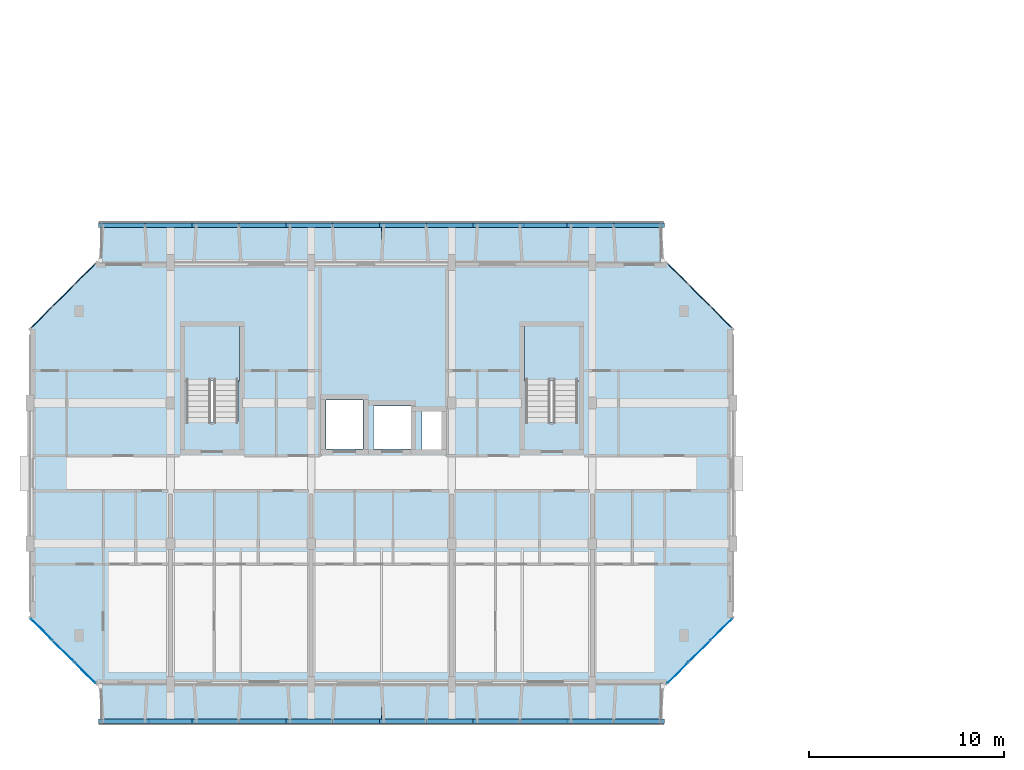
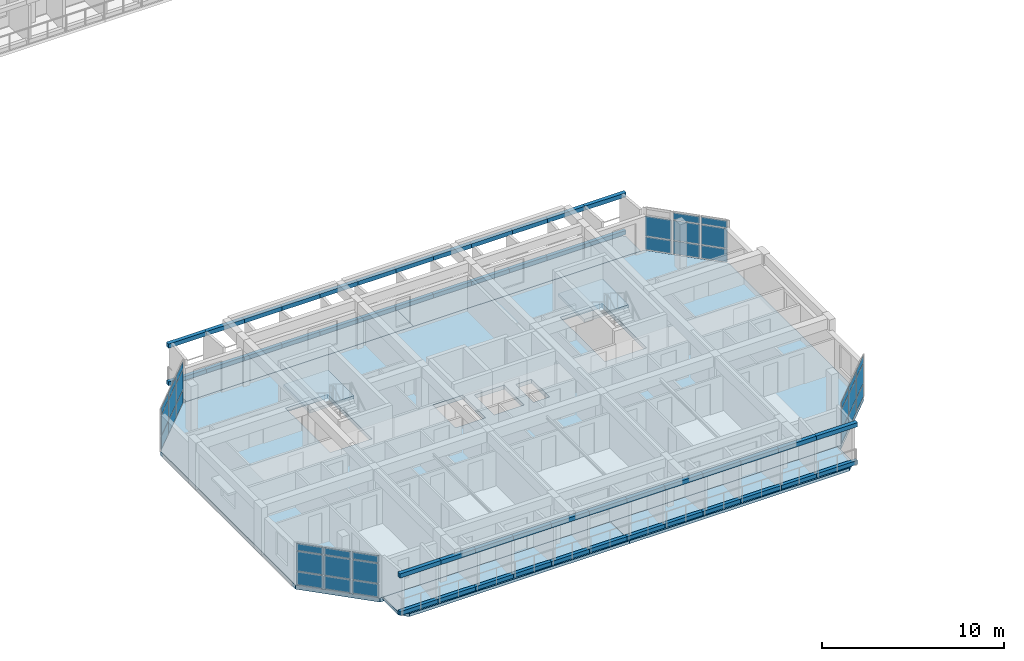
# One storey, part 11 of 46: 83 plates, 7 slabs, 6 elements without a shape of their own.
"""IFC4 building model written with IfcOpenShell, lengths in metres."""

from ifc_helpers import new_model, si_unit, direction, frame, origin, origin_2d, place, context, subcontext, project, spatial, polyline, rectangle, outline, extrude, material, layer, layer_set, type_object, element, aggregate, save


model = new_model("IFC4")

# Units and contexts
model_context = context("Model", 3, precision=1e-05, world=origin(), true_north=direction((0.0, 1.0)))
body_context = subcontext(model_context, "Body", "Model", "MODEL_VIEW")
ifc_project = project(units=[si_unit("LENGTHUNIT", "METRE"), si_unit("AREAUNIT", "SQUARE_METRE"), si_unit("VOLUMEUNIT", "CUBIC_METRE"), si_unit("PLANEANGLEUNIT", "RADIAN"), si_unit("MASSUNIT", "GRAM", prefix="KILO")], contexts=[model_context])

# Site, building, storey
site_placement = place(None, origin())
site = spatial("IfcSite", under=ifc_project, at=site_placement, CompositionType="ELEMENT")
building_placement = place(site_placement, origin())
building = spatial("IfcBuilding", under=site, at=building_placement, Name="Ochrevale Crest", CompositionType="ELEMENT")
storey_placement = place(building_placement, frame((0.0, 0.0, 24.449951171875)))
storey = spatial("IfcBuildingStorey", under=building, at=storey_placement, Name="L07", CompositionType="ELEMENT", Elevation=24.449951171875)

# Curtain wall, plates
ifc_material_1 = material(Name="Anodised aluminium 6063-T5", Category="aluminium")
ifc_layer_1 = layer(ifc_material_1, 0.14990234375)
ifc_layer_set_1 = layer_set([ifc_layer_1], Name="Anodised aluminium 6063-T5")
curtain_wall_type_1 = type_object("IfcCurtainWallType", Name="CW-WG-420x285", PredefinedType="NOTDEFINED", material=ifc_layer_set_1)
curtain_wall_1_placement = place(storey_placement, origin())
curtain_wall_1 = element("IfcCurtainWall", 1, at=curtain_wall_1_placement, inside=storey, type_object=curtain_wall_type_1, Name="Block A L07 chamfered corner wintergarden curtain wall 2", PredefinedType="NOTDEFINED")
ifc_material_2 = material(Name="Double-glazed low-E insulated glass unit", Category="glass")
ifc_layer_2 = layer(ifc_material_2, 0.028076171875)
ifc_layer_set_2 = layer_set([ifc_layer_2], Name="Double-glazed low-E insulated glass unit")
plate_type_1 = type_object("IfcPlateType", Name="CW-PNL-IGU28", PredefinedType="CURTAIN_PANEL", material=ifc_layer_set_2)
plate_1_placement = place(storey_placement, frame((33.179931640625, 14.97998046875, 0.06005859375), z_axis=(0.0, 0.0, 1.0), x_axis=(0.707106781187, 0.707106781187, 0.0)))
plate_1 = element("IfcPlate", 2, at=plate_1_placement, type_object=plate_type_1, Name="CW22 panel 1.1", PredefinedType="CURTAIN_PANEL", context=body_context, shape_type="SweptSolid", body=[
    extrude(rectangle(XDim=1.490234375, YDim=0.028076171875, at=origin_2d()), origin(), (0.0, 0.0, 1.0), 0.860107421875),
])
plate_2_placement = place(storey_placement, frame((33.179931640625, 14.97998046875, 0.97998046875), z_axis=(0.0, 0.0, 1.0), x_axis=(0.707106781187, 0.707106781187, 0.0)))
plate_2 = element("IfcPlate", 3, at=plate_2_placement, type_object=plate_type_1, Name="CW22 panel 1.2", PredefinedType="CURTAIN_PANEL", context=body_context, shape_type="SweptSolid", body=[
    extrude(rectangle(XDim=1.490234375, YDim=0.028076171875, at=origin_2d()), origin(), (0.0, 0.0, 1.0), 1.31494140625),
])
plate_3_placement = place(storey_placement, frame((33.179931640625, 14.97998046875, 2.35498046875), z_axis=(0.0, 0.0, 1.0), x_axis=(0.707106781187, 0.707106781187, 0.0)))
plate_3 = element("IfcPlate", 4, at=plate_3_placement, type_object=plate_type_1, Name="CW22 panel 1.3", PredefinedType="CURTAIN_PANEL", context=body_context, shape_type="SweptSolid", body=[
    extrude(rectangle(XDim=1.490234375, YDim=0.028076171875, at=origin_2d()), origin(), (0.0, 0.0, 1.0), 0.4599609375),
])
plate_4_placement = place(storey_placement, frame((34.300048828125, 16.10009765625, 0.06005859375), z_axis=(0.0, 0.0, 1.0), x_axis=(0.707106781187, 0.707106781187, 0.0)))
plate_4 = element("IfcPlate", 5, at=plate_4_placement, type_object=plate_type_1, Name="CW22 panel 2.1", PredefinedType="CURTAIN_PANEL", context=body_context, shape_type="SweptSolid", body=[
    extrude(rectangle(XDim=1.52783203125, YDim=0.028076171875, at=origin_2d()), origin(), (0.0, 0.0, 1.0), 0.860107421875),
])
plate_5_placement = place(storey_placement, frame((34.300048828125, 16.10009765625, 0.97998046875), z_axis=(0.0, 0.0, 1.0), x_axis=(0.707106781187, 0.707106781187, 0.0)))
plate_5 = element("IfcPlate", 6, at=plate_5_placement, type_object=plate_type_1, Name="CW22 panel 2.2", PredefinedType="CURTAIN_PANEL", context=body_context, shape_type="SweptSolid", body=[
    extrude(rectangle(XDim=1.52783203125, YDim=0.028076171875, at=origin_2d()), origin(), (0.0, 0.0, 1.0), 1.31494140625),
])
plate_6_placement = place(storey_placement, frame((34.300048828125, 16.10009765625, 2.35498046875), z_axis=(0.0, 0.0, 1.0), x_axis=(0.707106781187, 0.707106781187, 0.0)))
plate_6 = element("IfcPlate", 7, at=plate_6_placement, type_object=plate_type_1, Name="CW22 panel 2.3", PredefinedType="CURTAIN_PANEL", context=body_context, shape_type="SweptSolid", body=[
    extrude(rectangle(XDim=1.52783203125, YDim=0.028076171875, at=origin_2d()), origin(), (0.0, 0.0, 1.0), 0.4599609375),
])
plate_7_placement = place(storey_placement, frame((35.420166015625, 17.219970703125, 0.06005859375), z_axis=(0.0, 0.0, 1.0), x_axis=(0.707106781187, 0.707106781187, 0.0)))
plate_7 = element("IfcPlate", 8, at=plate_7_placement, type_object=plate_type_1, Name="CW22 panel 3.1", PredefinedType="CURTAIN_PANEL", context=body_context, shape_type="SweptSolid", body=[
    extrude(rectangle(XDim=1.490234375, YDim=0.028076171875, at=origin_2d()), origin(), (0.0, 0.0, 1.0), 0.860107421875),
])
plate_8_placement = place(storey_placement, frame((35.420166015625, 17.219970703125, 0.97998046875), z_axis=(0.0, 0.0, 1.0), x_axis=(0.707106781187, 0.707106781187, 0.0)))
plate_8 = element("IfcPlate", 9, at=plate_8_placement, type_object=plate_type_1, Name="CW22 panel 3.2", PredefinedType="CURTAIN_PANEL", context=body_context, shape_type="SweptSolid", body=[
    extrude(rectangle(XDim=1.490234375, YDim=0.028076171875, at=origin_2d()), origin(), (0.0, 0.0, 1.0), 1.31494140625),
])
plate_9_placement = place(storey_placement, frame((35.420166015625, 17.219970703125, 2.35498046875), z_axis=(0.0, 0.0, 1.0), x_axis=(0.707106781187, 0.707106781187, 0.0)))
plate_9 = element("IfcPlate", 10, at=plate_9_placement, type_object=plate_type_1, Name="CW22 panel 3.3", PredefinedType="CURTAIN_PANEL", context=body_context, shape_type="SweptSolid", body=[
    extrude(rectangle(XDim=1.490234375, YDim=0.028076171875, at=origin_2d()), origin(), (0.0, 0.0, 1.0), 0.4599609375),
])
aggregate(curtain_wall_1, [plate_1, plate_2, plate_3, plate_4, plate_5, plate_6, plate_7, plate_8, plate_9])

ifc_layer_3 = layer(ifc_material_1, 0.14990234375)
ifc_layer_set_3 = layer_set([ifc_layer_3], Name="Anodised aluminium 6063-T5")
curtain_wall_type_2 = type_object("IfcCurtainWallType", Name="CW-WG-240x285", PredefinedType="NOTDEFINED", material=ifc_layer_set_3)
curtain_wall_2_placement = place(storey_placement, origin())
curtain_wall_2 = element("IfcCurtainWall", 11, at=curtain_wall_2_placement, inside=storey, type_object=curtain_wall_type_2, Name="Block A L07 chamfered corner wintergarden curtain wall 8", PredefinedType="NOTDEFINED")
plate_10_placement = place(storey_placement, frame((0.579833984375, 17.219970703125, 0.06005859375), z_axis=(0.0, 0.0, 1.0), x_axis=(0.707106781187, -0.707106781187, 0.0)))
plate_10 = element("IfcPlate", 12, at=plate_10_placement, type_object=plate_type_1, Name="CW15 panel 1.1", PredefinedType="CURTAIN_PANEL", context=body_context, shape_type="SweptSolid", body=[
    extrude(rectangle(XDim=1.490234375, YDim=0.028076171875, at=origin_2d()), origin(), (0.0, 0.0, 1.0), 0.860107421875),
])
plate_11_placement = place(storey_placement, frame((0.579833984375, 17.219970703125, 0.97998046875), z_axis=(0.0, 0.0, 1.0), x_axis=(0.707106781187, -0.707106781187, 0.0)))
plate_11 = element("IfcPlate", 13, at=plate_11_placement, type_object=plate_type_1, Name="CW15 panel 1.2", PredefinedType="CURTAIN_PANEL", context=body_context, shape_type="SweptSolid", body=[
    extrude(rectangle(XDim=1.490234375, YDim=0.028076171875, at=origin_2d()), origin(), (0.0, 0.0, 1.0), 1.31494140625),
])
plate_12_placement = place(storey_placement, frame((0.579833984375, 17.219970703125, 2.35498046875), z_axis=(0.0, 0.0, 1.0), x_axis=(0.707106781187, -0.707106781187, 0.0)))
plate_12 = element("IfcPlate", 14, at=plate_12_placement, type_object=plate_type_1, Name="CW15 panel 1.3", PredefinedType="CURTAIN_PANEL", context=body_context, shape_type="SweptSolid", body=[
    extrude(rectangle(XDim=1.490234375, YDim=0.028076171875, at=origin_2d()), origin(), (0.0, 0.0, 1.0), 0.4599609375),
])
plate_13_placement = place(storey_placement, frame((1.699951171875, 16.10009765625, 0.06005859375), z_axis=(0.0, 0.0, 1.0), x_axis=(0.707106781187, -0.707106781187, 0.0)))
plate_13 = element("IfcPlate", 15, at=plate_13_placement, type_object=plate_type_1, Name="CW15 panel 2.1", PredefinedType="CURTAIN_PANEL", context=body_context, shape_type="SweptSolid", body=[
    extrude(rectangle(XDim=1.52783203125, YDim=0.028076171875, at=origin_2d()), origin(), (0.0, 0.0, 1.0), 0.860107421875),
])
plate_14_placement = place(storey_placement, frame((1.699951171875, 16.10009765625, 0.97998046875), z_axis=(0.0, 0.0, 1.0), x_axis=(0.707106781187, -0.707106781187, 0.0)))
plate_14 = element("IfcPlate", 16, at=plate_14_placement, type_object=plate_type_1, Name="CW15 panel 2.2", PredefinedType="CURTAIN_PANEL", context=body_context, shape_type="SweptSolid", body=[
    extrude(rectangle(XDim=1.52783203125, YDim=0.028076171875, at=origin_2d()), origin(), (0.0, 0.0, 1.0), 1.31494140625),
])
plate_15_placement = place(storey_placement, frame((1.699951171875, 16.10009765625, 2.35498046875), z_axis=(0.0, 0.0, 1.0), x_axis=(0.707106781187, -0.707106781187, 0.0)))
plate_15 = element("IfcPlate", 17, at=plate_15_placement, type_object=plate_type_1, Name="CW15 panel 2.3", PredefinedType="CURTAIN_PANEL", context=body_context, shape_type="SweptSolid", body=[
    extrude(rectangle(XDim=1.52783203125, YDim=0.028076171875, at=origin_2d()), origin(), (0.0, 0.0, 1.0), 0.4599609375),
])
plate_16_placement = place(storey_placement, frame((2.820068359375, 14.97998046875, 0.06005859375), z_axis=(0.0, 0.0, 1.0), x_axis=(0.707106781187, -0.707106781187, 0.0)))
plate_16 = element("IfcPlate", 18, at=plate_16_placement, type_object=plate_type_1, Name="CW15 panel 3.1", PredefinedType="CURTAIN_PANEL", context=body_context, shape_type="SweptSolid", body=[
    extrude(rectangle(XDim=1.490234375, YDim=0.028076171875, at=origin_2d()), origin(), (0.0, 0.0, 1.0), 0.860107421875),
])
plate_17_placement = place(storey_placement, frame((2.820068359375, 14.97998046875, 0.97998046875), z_axis=(0.0, 0.0, 1.0), x_axis=(0.707106781187, -0.707106781187, 0.0)))
plate_17 = element("IfcPlate", 19, at=plate_17_placement, type_object=plate_type_1, Name="CW15 panel 3.2", PredefinedType="CURTAIN_PANEL", context=body_context, shape_type="SweptSolid", body=[
    extrude(rectangle(XDim=1.490234375, YDim=0.028076171875, at=origin_2d()), origin(), (0.0, 0.0, 1.0), 1.31494140625),
])
plate_18_placement = place(storey_placement, frame((2.820068359375, 14.97998046875, 2.35498046875), z_axis=(0.0, 0.0, 1.0), x_axis=(0.707106781187, -0.707106781187, 0.0)))
plate_18 = element("IfcPlate", 20, at=plate_18_placement, type_object=plate_type_1, Name="CW15 panel 3.3", PredefinedType="CURTAIN_PANEL", context=body_context, shape_type="SweptSolid", body=[
    extrude(rectangle(XDim=1.490234375, YDim=0.028076171875, at=origin_2d()), origin(), (0.0, 0.0, 1.0), 0.4599609375),
])
aggregate(curtain_wall_2, [plate_10, plate_11, plate_12, plate_13, plate_14, plate_15, plate_16, plate_17, plate_18])

ifc_layer_4 = layer(ifc_material_1, 0.14990234375)
ifc_layer_set_4 = layer_set([ifc_layer_4], Name="Anodised aluminium 6063-T5")
curtain_wall_type_3 = type_object("IfcCurtainWallType", Name="CW-WG-280x285", PredefinedType="NOTDEFINED", material=ifc_layer_set_4)
curtain_wall_3_placement = place(storey_placement, origin())
curtain_wall_3 = element("IfcCurtainWall", 21, at=curtain_wall_3_placement, inside=storey, type_object=curtain_wall_type_3, Name="Block A L07 chamfered corner wintergarden curtain wall 4", PredefinedType="NOTDEFINED")
ifc_material_3 = material(Name="Acoustic laminated low-E insulated glass unit", Category="glass")
ifc_layer_5 = layer(ifc_material_3, 0.0380859375)
ifc_layer_set_5 = layer_set([ifc_layer_5], Name="Acoustic laminated low-E insulated glass unit")
plate_type_2 = type_object("IfcPlateType", Name="CW-PNL-IGU38", PredefinedType="CURTAIN_PANEL", material=ifc_layer_set_5)
plate_19_placement = place(storey_placement, frame((35.420166015625, 33.179931640625, 0.06005859375), z_axis=(0.0, 0.0, 1.0), x_axis=(-0.707106781187, 0.707106781187, 0.0)))
plate_19 = element("IfcPlate", 22, at=plate_19_placement, type_object=plate_type_2, Name="CW16 panel 1.1", PredefinedType="CURTAIN_PANEL", context=body_context, shape_type="SweptSolid", body=[
    extrude(rectangle(XDim=1.490234375, YDim=0.0380859375, at=origin_2d()), origin(), (0.0, 0.0, 1.0), 0.860107421875),
])
plate_20_placement = place(storey_placement, frame((35.420166015625, 33.179931640625, 0.97998046875), z_axis=(0.0, 0.0, 1.0), x_axis=(-0.707106781187, 0.707106781187, 0.0)))
plate_20 = element("IfcPlate", 23, at=plate_20_placement, type_object=plate_type_2, Name="CW16 panel 1.2", PredefinedType="CURTAIN_PANEL", context=body_context, shape_type="SweptSolid", body=[
    extrude(rectangle(XDim=1.490234375, YDim=0.0380859375, at=origin_2d()), origin(), (0.0, 0.0, 1.0), 1.31494140625),
])
plate_21_placement = place(storey_placement, frame((35.420166015625, 33.179931640625, 2.35498046875), z_axis=(0.0, 0.0, 1.0), x_axis=(-0.707106781187, 0.707106781187, 0.0)))
plate_21 = element("IfcPlate", 24, at=plate_21_placement, type_object=plate_type_2, Name="CW16 panel 1.3", PredefinedType="CURTAIN_PANEL", context=body_context, shape_type="SweptSolid", body=[
    extrude(rectangle(XDim=1.490234375, YDim=0.0380859375, at=origin_2d()), origin(), (0.0, 0.0, 1.0), 0.4599609375),
])
plate_22_placement = place(storey_placement, frame((34.300048828125, 34.300048828125, 0.06005859375), z_axis=(0.0, 0.0, 1.0), x_axis=(-0.707106781187, 0.707106781187, 0.0)))
plate_22 = element("IfcPlate", 25, at=plate_22_placement, type_object=plate_type_2, Name="CW16 panel 2.1", PredefinedType="CURTAIN_PANEL", context=body_context, shape_type="SweptSolid", body=[
    extrude(rectangle(XDim=1.52783203125, YDim=0.0380859375, at=origin_2d()), origin(), (0.0, 0.0, 1.0), 0.860107421875),
])
plate_23_placement = place(storey_placement, frame((34.300048828125, 34.300048828125, 0.97998046875), z_axis=(0.0, 0.0, 1.0), x_axis=(-0.707106781187, 0.707106781187, 0.0)))
plate_23 = element("IfcPlate", 26, at=plate_23_placement, type_object=plate_type_2, Name="CW16 panel 2.2", PredefinedType="CURTAIN_PANEL", context=body_context, shape_type="SweptSolid", body=[
    extrude(rectangle(XDim=1.52783203125, YDim=0.0380859375, at=origin_2d()), origin(), (0.0, 0.0, 1.0), 1.31494140625),
])
plate_24_placement = place(storey_placement, frame((34.300048828125, 34.300048828125, 2.35498046875), z_axis=(0.0, 0.0, 1.0), x_axis=(-0.707106781187, 0.707106781187, 0.0)))
plate_24 = element("IfcPlate", 27, at=plate_24_placement, type_object=plate_type_2, Name="CW16 panel 2.3", PredefinedType="CURTAIN_PANEL", context=body_context, shape_type="SweptSolid", body=[
    extrude(rectangle(XDim=1.52783203125, YDim=0.0380859375, at=origin_2d()), origin(), (0.0, 0.0, 1.0), 0.4599609375),
])
plate_25_placement = place(storey_placement, frame((33.179931640625, 35.420166015625, 0.06005859375), z_axis=(0.0, 0.0, 1.0), x_axis=(-0.707106781187, 0.707106781187, 0.0)))
plate_25 = element("IfcPlate", 28, at=plate_25_placement, type_object=plate_type_2, Name="CW16 panel 3.1", PredefinedType="CURTAIN_PANEL", context=body_context, shape_type="SweptSolid", body=[
    extrude(rectangle(XDim=1.490234375, YDim=0.0380859375, at=origin_2d()), origin(), (0.0, 0.0, 1.0), 0.860107421875),
])
plate_26_placement = place(storey_placement, frame((33.179931640625, 35.420166015625, 0.97998046875), z_axis=(0.0, 0.0, 1.0), x_axis=(-0.707106781187, 0.707106781187, 0.0)))
plate_26 = element("IfcPlate", 29, at=plate_26_placement, type_object=plate_type_2, Name="CW16 panel 3.2", PredefinedType="CURTAIN_PANEL", context=body_context, shape_type="SweptSolid", body=[
    extrude(rectangle(XDim=1.490234375, YDim=0.0380859375, at=origin_2d()), origin(), (0.0, 0.0, 1.0), 1.31494140625),
])
aggregate(curtain_wall_3, [plate_19, plate_20, plate_21, plate_22, plate_23, plate_24, plate_25, plate_26])

ifc_layer_6 = layer(ifc_material_1, 0.14990234375)
ifc_layer_set_6 = layer_set([ifc_layer_6], Name="Anodised aluminium 6063-T5")
curtain_wall_type_4 = type_object("IfcCurtainWallType", Name="CW-WG-360x285", PredefinedType="NOTDEFINED", material=ifc_layer_set_6)
curtain_wall_4_placement = place(storey_placement, origin())
curtain_wall_4 = element("IfcCurtainWall", 30, at=curtain_wall_4_placement, inside=storey, type_object=curtain_wall_type_4, Name="Block A L07 chamfered corner wintergarden curtain wall 6", PredefinedType="NOTDEFINED")
plate_27_placement = place(storey_placement, frame((2.820068359375, 35.420166015625, 0.06005859375), z_axis=(0.0, 0.0, 1.0), x_axis=(-0.707106781187, -0.707106781187, 0.0)))
plate_27 = element("IfcPlate", 31, at=plate_27_placement, type_object=plate_type_2, Name="CW18 panel 1.1", PredefinedType="CURTAIN_PANEL", context=body_context, shape_type="SweptSolid", body=[
    extrude(rectangle(XDim=1.490234375, YDim=0.0380859375, at=origin_2d()), origin(), (0.0, 0.0, 1.0), 0.860107421875),
])
plate_28_placement = place(storey_placement, frame((2.820068359375, 35.420166015625, 0.97998046875), z_axis=(0.0, 0.0, 1.0), x_axis=(-0.707106781187, -0.707106781187, 0.0)))
plate_28 = element("IfcPlate", 32, at=plate_28_placement, type_object=plate_type_2, Name="CW18 panel 1.2", PredefinedType="CURTAIN_PANEL", context=body_context, shape_type="SweptSolid", body=[
    extrude(rectangle(XDim=1.490234375, YDim=0.0380859375, at=origin_2d()), origin(), (0.0, 0.0, 1.0), 1.31494140625),
])
plate_29_placement = place(storey_placement, frame((2.820068359375, 35.420166015625, 2.35498046875), z_axis=(0.0, 0.0, 1.0), x_axis=(-0.707106781187, -0.707106781187, 0.0)))
plate_29 = element("IfcPlate", 33, at=plate_29_placement, type_object=plate_type_2, Name="CW18 panel 1.3", PredefinedType="CURTAIN_PANEL", context=body_context, shape_type="SweptSolid", body=[
    extrude(rectangle(XDim=1.490234375, YDim=0.0380859375, at=origin_2d()), origin(), (0.0, 0.0, 1.0), 0.4599609375),
])
plate_30_placement = place(storey_placement, frame((1.699951171875, 34.300048828125, 0.06005859375), z_axis=(0.0, 0.0, 1.0), x_axis=(-0.707106781187, -0.707106781187, 0.0)))
plate_30 = element("IfcPlate", 34, at=plate_30_placement, type_object=plate_type_2, Name="CW18 panel 2.1", PredefinedType="CURTAIN_PANEL", context=body_context, shape_type="SweptSolid", body=[
    extrude(rectangle(XDim=1.52783203125, YDim=0.0380859375, at=origin_2d()), origin(), (0.0, 0.0, 1.0), 0.860107421875),
])
plate_31_placement = place(storey_placement, frame((1.699951171875, 34.300048828125, 0.97998046875), z_axis=(0.0, 0.0, 1.0), x_axis=(-0.707106781187, -0.707106781187, 0.0)))
plate_31 = element("IfcPlate", 35, at=plate_31_placement, type_object=plate_type_2, Name="CW18 panel 2.2", PredefinedType="CURTAIN_PANEL", context=body_context, shape_type="SweptSolid", body=[
    extrude(rectangle(XDim=1.52783203125, YDim=0.0380859375, at=origin_2d()), origin(), (0.0, 0.0, 1.0), 1.31494140625),
])
plate_32_placement = place(storey_placement, frame((1.699951171875, 34.300048828125, 2.35498046875), z_axis=(0.0, 0.0, 1.0), x_axis=(-0.707106781187, -0.707106781187, 0.0)))
plate_32 = element("IfcPlate", 36, at=plate_32_placement, type_object=plate_type_2, Name="CW18 panel 2.3", PredefinedType="CURTAIN_PANEL", context=body_context, shape_type="SweptSolid", body=[
    extrude(rectangle(XDim=1.52783203125, YDim=0.0380859375, at=origin_2d()), origin(), (0.0, 0.0, 1.0), 0.4599609375),
])
plate_33_placement = place(storey_placement, frame((0.579833984375, 33.179931640625, 0.06005859375), z_axis=(0.0, 0.0, 1.0), x_axis=(-0.707106781187, -0.707106781187, 0.0)))
plate_33 = element("IfcPlate", 37, at=plate_33_placement, type_object=plate_type_2, Name="CW18 panel 3.1", PredefinedType="CURTAIN_PANEL", context=body_context, shape_type="SweptSolid", body=[
    extrude(rectangle(XDim=1.490234375, YDim=0.0380859375, at=origin_2d()), origin(), (0.0, 0.0, 1.0), 0.860107421875),
])
plate_34_placement = place(storey_placement, frame((0.579833984375, 33.179931640625, 0.97998046875), z_axis=(0.0, 0.0, 1.0), x_axis=(-0.707106781187, -0.707106781187, 0.0)))
plate_34 = element("IfcPlate", 38, at=plate_34_placement, type_object=plate_type_2, Name="CW18 panel 3.2", PredefinedType="CURTAIN_PANEL", context=body_context, shape_type="SweptSolid", body=[
    extrude(rectangle(XDim=1.490234375, YDim=0.0380859375, at=origin_2d()), origin(), (0.0, 0.0, 1.0), 1.31494140625),
])
plate_35_placement = place(storey_placement, frame((0.579833984375, 33.179931640625, 2.35498046875), z_axis=(0.0, 0.0, 1.0), x_axis=(-0.707106781187, -0.707106781187, 0.0)))
plate_35 = element("IfcPlate", 39, at=plate_35_placement, type_object=plate_type_2, Name="CW18 panel 3.3", PredefinedType="CURTAIN_PANEL", context=body_context, shape_type="SweptSolid", body=[
    extrude(rectangle(XDim=1.490234375, YDim=0.0380859375, at=origin_2d()), origin(), (0.0, 0.0, 1.0), 0.4599609375),
])
aggregate(curtain_wall_4, [plate_27, plate_28, plate_29, plate_30, plate_31, plate_32, plate_33, plate_34, plate_35])

# Plates
ifc_material_4 = material(Name="Precast concrete C40/50", Category="concrete")
ifc_layer_7 = layer(ifc_material_4, 0.06005859375)
ifc_layer_set_7 = layer_set([ifc_layer_7], Name="Precast concrete C40/50")
plate_type_3 = type_object("IfcPlateType", Name="PLT-HC-HEAD-60", PredefinedType="USERDEFINED", material=ifc_layer_set_7)
for number, where, z_axis, x_axis, name in (
    (40, (4.800048828125, 12.5, 2.52001953125), (0.0, 0.0, 1.0), (1.0, 0.0, 0.0), "Block A L07 S honeycomb arched lintel fascia 1"),
    (41, (7.199951171875, 12.5, 2.52001953125), (0.0, 0.0, 1.0), (1.0, 0.0, 0.0), "Block A L07 S honeycomb arched lintel fascia 2"),
    (42, (9.60009765625, 12.5, 2.52001953125), (0.0, 0.0, 1.0), (1.0, 0.0, 0.0), "Block A L07 S honeycomb arched lintel fascia 3"),
    (43, (12.0, 12.5, 2.52001953125), (0.0, 0.0, 1.0), (1.0, 0.0, 0.0), "Block A L07 S honeycomb arched lintel fascia 4"),
    (44, (14.39990234375, 12.5, 2.52001953125), (0.0, 0.0, 1.0), (1.0, 0.0, 0.0), "Block A L07 S honeycomb arched lintel fascia 5"),
    (45, (16.800048828125, 12.5, 2.52001953125), (0.0, 0.0, 1.0), (1.0, 0.0, 0.0), "Block A L07 S honeycomb arched lintel fascia 6"),
    (46, (19.199951171875, 12.5, 2.52001953125), (0.0, 0.0, 1.0), (1.0, 0.0, 0.0), "Block A L07 S honeycomb arched lintel fascia 7"),
    (47, (21.60009765625, 12.5, 2.52001953125), (0.0, 0.0, 1.0), (1.0, 0.0, 0.0), "Block A L07 S honeycomb arched lintel fascia 8"),
    (48, (24.0, 12.5, 2.52001953125), (0.0, 0.0, 1.0), (1.0, 0.0, 0.0), "Block A L07 S honeycomb arched lintel fascia 9"),
    (49, (26.39990234375, 12.5, 2.52001953125), (0.0, 0.0, 1.0), (1.0, 0.0, 0.0), "Block A L07 S honeycomb arched lintel fascia 10"),
    (50, (28.800048828125, 12.5, 2.52001953125), (0.0, 0.0, 1.0), (1.0, 0.0, 0.0), "Block A L07 S honeycomb arched lintel fascia 11"),
    (51, (31.199951171875, 12.5, 2.52001953125), (0.0, 0.0, 1.0), (1.0, 0.0, 0.0), "Block A L07 S honeycomb arched lintel fascia 12"),
    (52, (4.800048828125, 37.89990234375, 2.52001953125), (0.0, 0.0, 1.0), (1.0, 0.0, 0.0), "Block A L07 N honeycomb arched lintel fascia 1"),
    (53, (7.199951171875, 37.89990234375, 2.52001953125), (0.0, 0.0, 1.0), (1.0, 0.0, 0.0), "Block A L07 N honeycomb arched lintel fascia 2"),
    (54, (9.60009765625, 37.89990234375, 2.52001953125), (0.0, 0.0, 1.0), (1.0, 0.0, 0.0), "Block A L07 N honeycomb arched lintel fascia 3"),
    (55, (12.0, 37.89990234375, 2.52001953125), (0.0, 0.0, 1.0), (1.0, 0.0, 0.0), "Block A L07 N honeycomb arched lintel fascia 4"),
    (56, (14.39990234375, 37.89990234375, 2.52001953125), (0.0, 0.0, 1.0), (1.0, 0.0, 0.0), "Block A L07 N honeycomb arched lintel fascia 5"),
    (57, (16.800048828125, 37.89990234375, 2.52001953125), (0.0, 0.0, 1.0), (1.0, 0.0, 0.0), "Block A L07 N honeycomb arched lintel fascia 6"),
    (58, (19.199951171875, 37.89990234375, 2.52001953125), (0.0, 0.0, 1.0), (1.0, 0.0, 0.0), "Block A L07 N honeycomb arched lintel fascia 7"),
    (59, (21.60009765625, 37.89990234375, 2.52001953125), (0.0, 0.0, 1.0), (1.0, 0.0, 0.0), "Block A L07 N honeycomb arched lintel fascia 8"),
    (60, (24.0, 37.89990234375, 2.52001953125), (0.0, 0.0, 1.0), (1.0, 0.0, 0.0), "Block A L07 N honeycomb arched lintel fascia 9"),
    (61, (26.39990234375, 37.89990234375, 2.52001953125), (0.0, 0.0, 1.0), (1.0, 0.0, 0.0), "Block A L07 N honeycomb arched lintel fascia 10"),
    (62, (28.800048828125, 37.89990234375, 2.52001953125), (0.0, 0.0, 1.0), (1.0, 0.0, 0.0), "Block A L07 N honeycomb arched lintel fascia 11"),
    (63, (31.199951171875, 37.89990234375, 2.52001953125), (0.0, 0.0, 1.0), (1.0, 0.0, 0.0), "Block A L07 N honeycomb arched lintel fascia 12"),
):
    element("IfcPlate", number, at=place(storey_placement, frame(where, z_axis=z_axis, x_axis=x_axis)), inside=storey, type_object=plate_type_3, Name=name, ObjectType="FACADE FASCIA PLATE", PredefinedType="USERDEFINED", context=body_context, shape_type="SweptSolid", body=[
        extrude(rectangle(XDim=2.60009765625, YDim=0.239990234375, at=origin_2d()), origin(), (0.0, 0.0, 1.0), 0.280029296875),
    ])
ifc_layer_8 = layer(ifc_material_4, 0.044921875)
ifc_layer_set_8 = layer_set([ifc_layer_8], Name="Precast concrete C40/50")
plate_type_4 = type_object("IfcPlateType", Name="PLT-HC-SILL-45", PredefinedType="USERDEFINED", material=ifc_layer_set_8)
for number, where, z_axis, x_axis, name in (
    (64, (4.800048828125, 12.5, 0.0), (0.0, 0.0, 1.0), (1.0, 0.0, 0.0), "Block A L07 S honeycomb sill coping plate 1"),
    (65, (7.199951171875, 12.5, 0.0), (0.0, 0.0, 1.0), (1.0, 0.0, 0.0), "Block A L07 S honeycomb sill coping plate 2"),
    (66, (9.60009765625, 12.5, 0.0), (0.0, 0.0, 1.0), (1.0, 0.0, 0.0), "Block A L07 S honeycomb sill coping plate 3"),
    (67, (12.0, 12.5, 0.0), (0.0, 0.0, 1.0), (1.0, 0.0, 0.0), "Block A L07 S honeycomb sill coping plate 4"),
    (68, (14.39990234375, 12.5, 0.0), (0.0, 0.0, 1.0), (1.0, 0.0, 0.0), "Block A L07 S honeycomb sill coping plate 5"),
    (69, (16.800048828125, 12.5, 0.0), (0.0, 0.0, 1.0), (1.0, 0.0, 0.0), "Block A L07 S honeycomb sill coping plate 6"),
    (70, (19.199951171875, 12.5, 0.0), (0.0, 0.0, 1.0), (1.0, 0.0, 0.0), "Block A L07 S honeycomb sill coping plate 7"),
    (71, (21.60009765625, 12.5, 0.0), (0.0, 0.0, 1.0), (1.0, 0.0, 0.0), "Block A L07 S honeycomb sill coping plate 8"),
    (72, (24.0, 12.5, 0.0), (0.0, 0.0, 1.0), (1.0, 0.0, 0.0), "Block A L07 S honeycomb sill coping plate 9"),
    (73, (26.39990234375, 12.5, 0.0), (0.0, 0.0, 1.0), (1.0, 0.0, 0.0), "Block A L07 S honeycomb sill coping plate 10"),
    (74, (28.800048828125, 12.5, 0.0), (0.0, 0.0, 1.0), (1.0, 0.0, 0.0), "Block A L07 S honeycomb sill coping plate 11"),
    (75, (31.199951171875, 12.5, 0.0), (0.0, 0.0, 1.0), (1.0, 0.0, 0.0), "Block A L07 S honeycomb sill coping plate 12"),
    (76, (4.800048828125, 37.89990234375, 0.0), (0.0, 0.0, 1.0), (1.0, 0.0, 0.0), "Block A L07 N honeycomb sill coping plate 1"),
    (77, (7.199951171875, 37.89990234375, 0.0), (0.0, 0.0, 1.0), (1.0, 0.0, 0.0), "Block A L07 N honeycomb sill coping plate 2"),
    (78, (9.60009765625, 37.89990234375, 0.0), (0.0, 0.0, 1.0), (1.0, 0.0, 0.0), "Block A L07 N honeycomb sill coping plate 3"),
    (79, (12.0, 37.89990234375, 0.0), (0.0, 0.0, 1.0), (1.0, 0.0, 0.0), "Block A L07 N honeycomb sill coping plate 4"),
    (80, (14.39990234375, 37.89990234375, 0.0), (0.0, 0.0, 1.0), (1.0, 0.0, 0.0), "Block A L07 N honeycomb sill coping plate 5"),
    (81, (16.800048828125, 37.89990234375, 0.0), (0.0, 0.0, 1.0), (1.0, 0.0, 0.0), "Block A L07 N honeycomb sill coping plate 6"),
    (82, (19.199951171875, 37.89990234375, 0.0), (0.0, 0.0, 1.0), (1.0, 0.0, 0.0), "Block A L07 N honeycomb sill coping plate 7"),
    (83, (21.60009765625, 37.89990234375, 0.0), (0.0, 0.0, 1.0), (1.0, 0.0, 0.0), "Block A L07 N honeycomb sill coping plate 8"),
    (84, (24.0, 37.89990234375, 0.0), (0.0, 0.0, 1.0), (1.0, 0.0, 0.0), "Block A L07 N honeycomb sill coping plate 9"),
    (85, (26.39990234375, 37.89990234375, 0.0), (0.0, 0.0, 1.0), (1.0, 0.0, 0.0), "Block A L07 N honeycomb sill coping plate 10"),
    (86, (28.800048828125, 37.89990234375, 0.0), (0.0, 0.0, 1.0), (1.0, 0.0, 0.0), "Block A L07 N honeycomb sill coping plate 11"),
    (87, (31.199951171875, 37.89990234375, 0.0), (0.0, 0.0, 1.0), (1.0, 0.0, 0.0), "Block A L07 N honeycomb sill coping plate 12"),
):
    element("IfcPlate", number, at=place(storey_placement, frame(where, z_axis=z_axis, x_axis=x_axis)), inside=storey, type_object=plate_type_4, Name=name, ObjectType="SILL COPING PLATE", PredefinedType="USERDEFINED", context=body_context, shape_type="SweptSolid", body=[
        extrude(rectangle(XDim=2.60009765625, YDim=0.219970703125, at=origin_2d()), origin(), (0.0, 0.0, 1.0), 0.260009765625),
    ])

# Slabs
ifc_layer_9 = layer(ifc_material_4, 0.199951171875)
ifc_layer_set_9 = layer_set([ifc_layer_9], Name="Precast concrete C40/50")
slab_type_1 = type_object("IfcSlabType", Name="SLB-BAL-200", PredefinedType="FLOOR", material=ifc_layer_set_9)
slab_1_placement = place(storey_placement, frame((0.0, 0.0, -0.199951171875)))
element("IfcSlab", 88, at=slab_1_placement, inside=storey, type_object=slab_type_1, Name="Block A L07 S1 precast loggia balcony slab", PredefinedType="FLOOR", context=body_context, shape_type="SweptSolid", body=[
    extrude(outline(polyline([(4.050048828125, 12.300048828125), (18.0, 12.300048828125), (18.0, 14.39990234375), (3.60009765625, 14.39990234375), (3.60009765625, 12.75), (4.050048828125, 12.300048828125)])), origin(), (0.0, 0.0, 1.0), 0.199951171875),
])
slab_2_placement = place(storey_placement, frame((0.0, 0.0, -0.199951171875)))
element("IfcSlab", 89, at=slab_2_placement, inside=storey, type_object=slab_type_1, Name="Block A L07 S2 precast loggia balcony slab", PredefinedType="FLOOR", context=body_context, shape_type="SweptSolid", body=[
    extrude(outline(polyline([(18.0, 12.300048828125), (31.949951171875, 12.300048828125), (32.39990234375, 12.75), (32.39990234375, 14.39990234375), (18.0, 14.39990234375), (18.0, 12.300048828125)])), origin(), (0.0, 0.0, 1.0), 0.199951171875),
])
slab_3_placement = place(storey_placement, frame((0.0, 0.0, -0.199951171875)))
element("IfcSlab", 90, at=slab_3_placement, inside=storey, type_object=slab_type_1, Name="Block A L07 N1 precast loggia balcony slab", PredefinedType="FLOOR", context=body_context, shape_type="SweptSolid", body=[
    extrude(outline(polyline([(3.60009765625, 36.0), (18.0, 36.0), (18.0, 38.10009765625), (4.050048828125, 38.10009765625), (3.60009765625, 37.64990234375), (3.60009765625, 36.0)])), origin(), (0.0, 0.0, 1.0), 0.199951171875),
])
slab_4_placement = place(storey_placement, frame((0.0, 0.0, -0.199951171875)))
element("IfcSlab", 91, at=slab_4_placement, inside=storey, type_object=slab_type_1, Name="Block A L07 N2 precast loggia balcony slab", PredefinedType="FLOOR", context=body_context, shape_type="SweptSolid", body=[
    extrude(outline(polyline([(18.0, 36.0), (32.39990234375, 36.0), (32.39990234375, 37.64990234375), (31.949951171875, 38.10009765625), (18.0, 38.10009765625), (18.0, 36.0)])), origin(), (0.0, 0.0, 1.0), 0.199951171875),
])
ifc_layer_10 = layer(ifc_material_4, 0.27490234375)
ifc_layer_set_10 = layer_set([ifc_layer_10], Name="Precast concrete C40/50")
slab_type_2 = type_object("IfcSlabType", Name="SLB-RES-275", PredefinedType="FLOOR", material=ifc_layer_set_10)
slab_5_placement = place(storey_placement, frame((0.0, 0.0, -0.27490234375)))
element("IfcSlab", 92, at=slab_5_placement, inside=storey, type_object=slab_type_2, Name="Block A L07 composite hollowcore floor slab", PredefinedType="FLOOR", context=body_context, shape_type="SweptSolid", body=[
    extrude(outline(polyline([(3.39990234375, 14.39990234375), (32.60009765625, 14.39990234375), (36.0, 17.800048828125), (36.0, 32.60009765625), (32.60009765625, 36.0), (3.39990234375, 36.0), (0.0, 32.60009765625), (0.0, 17.800048828125), (3.39990234375, 14.39990234375)]), holes=[polyline([(10.64990234375, 27.824951171875), (10.64990234375, 32.72509765625), (8.0, 32.72509765625), (8.0, 27.824951171875), (10.64990234375, 27.824951171875)]), polyline([(28.050048828125, 27.824951171875), (28.050048828125, 32.72509765625), (25.39990234375, 32.72509765625), (25.39990234375, 27.824951171875), (28.050048828125, 27.824951171875)]), polyline([(15.14990234375, 26.449951171875), (17.050048828125, 26.449951171875), (17.050048828125, 28.949951171875), (15.14990234375, 28.949951171875), (15.14990234375, 26.449951171875)]), polyline([(17.60009765625, 26.449951171875), (19.5, 26.449951171875), (19.5, 28.64990234375), (17.60009765625, 28.64990234375), (17.60009765625, 26.449951171875)]), polyline([(20.070068359375, 26.419921875), (21.080078125, 26.419921875), (21.080078125, 28.3798828125), (20.070068359375, 28.3798828125), (20.070068359375, 26.419921875)])]), origin(), (0.0, 0.0, 1.0), 0.27490234375),
])

# Stair, slab
stair_type = type_object("IfcStairType", Name="ST-CORE-DOG", PredefinedType="HALF_TURN_STAIR", material=ifc_material_4)
stair_1_placement = place(storey_placement, origin())
stair_1 = element("IfcStair", 93, at=stair_1_placement, inside=storey, type_object=stair_type, Name="L07 Block A Fire Stair 1", PredefinedType="HALF_TURN_STAIR")
ifc_layer_11 = layer(ifc_material_4, 0.199951171875)
ifc_layer_set_11 = layer_set([ifc_layer_11], Name="Precast concrete C40/50")
slab_type_3 = type_object("IfcSlabType", Name="SLB-ST-LAND", PredefinedType="LANDING", material=ifc_layer_set_11)
slab_6_placement = place(storey_placement, frame((0.0, 0.0, 1.375)))
slab_6 = element("IfcSlab", 94, at=slab_6_placement, type_object=slab_type_3, Name="ST-A1 landing 1", PredefinedType="LANDING", context=body_context, shape_type="SweptSolid", body=[
    extrude(outline(polyline([(10.72998046875, 29.93505859375), (10.72998046875, 32.804931640625), (7.919921875, 32.804931640625), (7.919921875, 29.93505859375), (10.72998046875, 29.93505859375)])), origin(), (0.0, 0.0, 1.0), 0.199951171875),
])
aggregate(stair_1, [slab_6])

stair_2_placement = place(storey_placement, origin())
stair_2 = element("IfcStair", 95, at=stair_2_placement, inside=storey, type_object=stair_type, Name="L07 Block A Fire Stair 2", PredefinedType="HALF_TURN_STAIR")
slab_7_placement = place(storey_placement, frame((0.0, 0.0, 1.375)))
slab_7 = element("IfcSlab", 96, at=slab_7_placement, type_object=slab_type_3, Name="ST-A2 landing 1", PredefinedType="LANDING", context=body_context, shape_type="SweptSolid", body=[
    extrude(outline(polyline([(28.1298828125, 29.93505859375), (28.1298828125, 32.804931640625), (25.320068359375, 32.804931640625), (25.320068359375, 29.93505859375), (28.1298828125, 29.93505859375)])), origin(), (0.0, 0.0, 1.0), 0.199951171875),
])
aggregate(stair_2, [slab_7])

save(model, "model.ifc")
